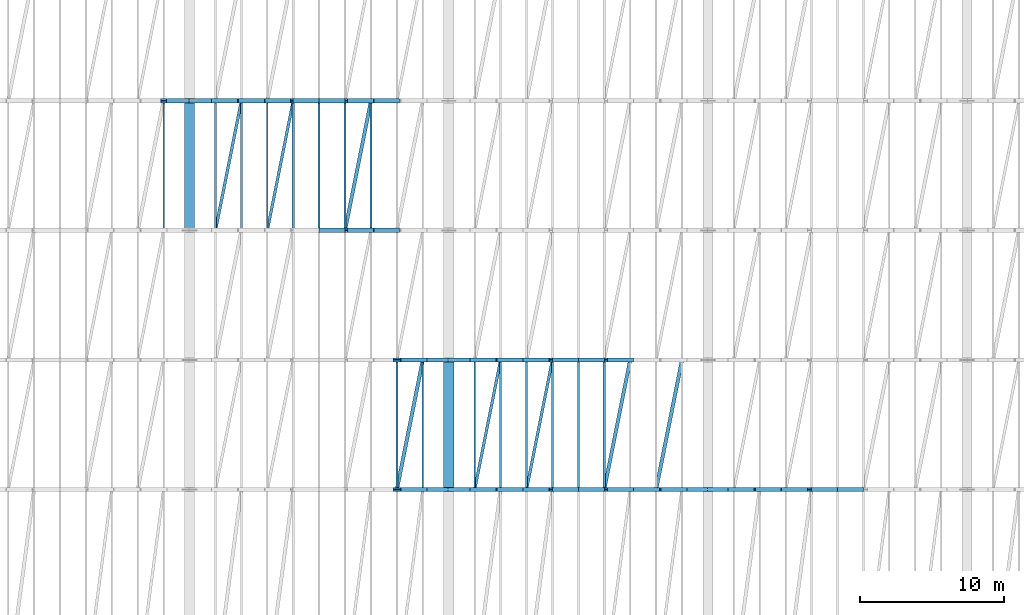
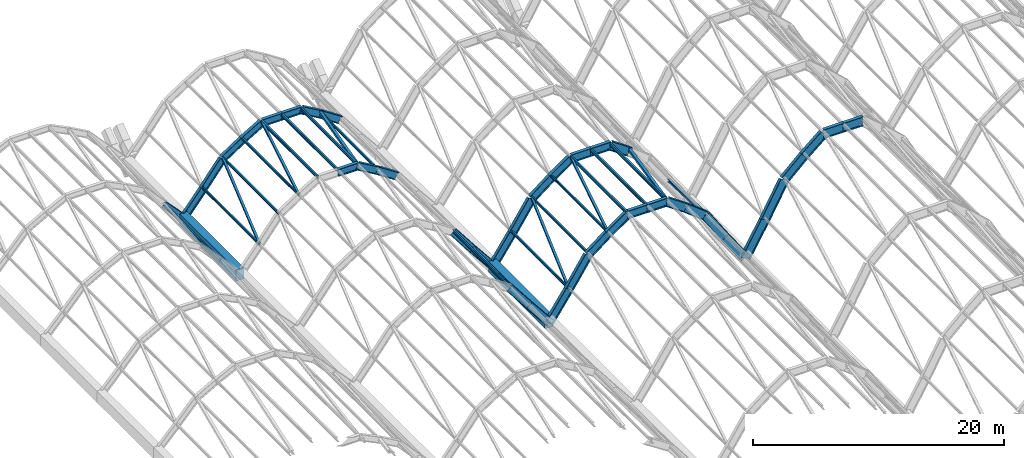
# One storey, part 19 of 86: 41 beams, 24 members.
"""IFC4 building model written with IfcOpenShell, lengths in metres."""

from ifc_helpers import new_model, si_unit, direction, frame, origin, origin_2d, place, context, subcontext, project, spatial, rectangle, i_section, extrude, material, material_profile, profile_set, type_object, element, save


model = new_model("IFC4")

# Units and contexts
model_context = context("Model", 3, precision=1e-05, world=origin(), true_north=direction((0.0, 1.0)))
body_context = subcontext(model_context, "Body", "Model", "MODEL_VIEW")
ifc_project = project(units=[si_unit("LENGTHUNIT", "METRE"), si_unit("AREAUNIT", "SQUARE_METRE"), si_unit("VOLUMEUNIT", "CUBIC_METRE"), si_unit("PLANEANGLEUNIT", "RADIAN"), si_unit("MASSUNIT", "GRAM", prefix="KILO")], contexts=[model_context])

# Site, building, storey
site_placement = place(None, origin())
site = spatial("IfcSite", under=ifc_project, at=site_placement, CompositionType="ELEMENT")
building_placement = place(site_placement, origin())
building = spatial("IfcBuilding", under=site, at=building_placement, Name="Chuanluo Vaults Station", CompositionType="ELEMENT")
storey_placement = place(building_placement, frame((0.0, 0.0, 14.39990234375)))
storey = spatial("IfcBuildingStorey", under=building, at=storey_placement, Name="L03", CompositionType="ELEMENT", Elevation=14.39990234375)

# Beams
ifc_material_1 = material(Name="Concrete C50", Category="concrete")
ifc_material_profile_1 = material_profile(ifc_material_1, rectangle(XDim=0.699951171875, YDim=1.10009765625, at=origin_2d()))
ifc_profile_set_1 = profile_set([ifc_material_profile_1], Name="Concrete C50")
beam_type_1 = type_object("IfcBeamType", Name="BM-VAL-RC", PredefinedType="USERDEFINED", material=ifc_profile_set_1)
for number, where, z_axis, x_axis, name in (
    (1, (18.0, 85.5, -0.7998046875), (0.0, 1.0, 0.0), (-1.0, 0.0, 0.0), "Vault springing valley beam X18-7"),
    (2, (36.0, 67.5, -0.7998046875), (0.0, 1.0, 0.0), (-1.0, 0.0, 0.0), "Vault springing valley beam X36-5"),
):
    element("IfcBeam", number, at=place(storey_placement, frame(where, z_axis=z_axis, x_axis=x_axis)), inside=storey, type_object=beam_type_1, Name=name, ObjectType="GIRDER", PredefinedType="USERDEFINED", context=body_context, shape_type="SweptSolid", body=[
        extrude(rectangle(XDim=0.699951171875, YDim=1.10009765625, at=origin_2d()), origin(), (0.0, 0.0, 1.0), 9.0),
    ])
ifc_material_2 = material(Name="Steel Q355C", Category="steel")
ifc_material_profile_2 = material_profile(ifc_material_2, i_section(OverallWidth=0.300048828125, OverallDepth=0.587890625, WebThickness=0.011962890625, FlangeThickness=0.02001953125, FilletRadius=0.02392578125, at=origin_2d()))
ifc_profile_set_2 = profile_set([ifc_material_profile_2], Name="Steel Q355C")
beam_type_2 = type_object("IfcBeamType", Name="BM-VLT-600", PredefinedType="USERDEFINED", material=ifc_profile_set_2)
beam_1_placement = place(storey_placement, frame((16.199951171875, 94.5, 1.173095703125), z_axis=(0.684521510403, 0.0, -0.728992662374), x_axis=(0.0, 1.0, 0.0)))
element("IfcBeam", 3, at=beam_1_placement, inside=storey, type_object=beam_type_2, Name="Vault V1 arch rib 8 chord 10", ObjectType="GIRDER", PredefinedType="USERDEFINED", context=body_context, shape_type="SweptSolid", body=[
    extrude(i_section(OverallWidth=0.300048828125, OverallDepth=0.587890625, WebThickness=0.011962890625, FlangeThickness=0.02001953125, FilletRadius=0.02392578125, at=origin_2d()), origin(), (0.0, 0.0, 1.0), 2.629638671875),
])
ifc_material_3 = material(Name="Steel Q355C", Category="steel")
ifc_material_profile_3 = material_profile(ifc_material_3, i_section(OverallWidth=0.300048828125, OverallDepth=0.699951171875, WebThickness=0.012939453125, FlangeThickness=0.02392578125, FilletRadius=0.02392578125, at=origin_2d()))
ifc_profile_set_3 = profile_set([ifc_material_profile_3], Name="Steel Q355C")
beam_type_3 = type_object("IfcBeamType", Name="BM-VLT-700", PredefinedType="USERDEFINED", material=ifc_profile_set_3)
beam_2_placement = place(storey_placement, frame((32.39990234375, 67.5, 3.74560546875), z_axis=(0.613681275736, 0.0, -0.789553856182), x_axis=(0.0, 1.0, 0.0)))
element("IfcBeam", 4, at=beam_2_placement, inside=storey, type_object=beam_type_3, Name="Vault V2 arch rib 5 chord 9", ObjectType="GIRDER", PredefinedType="USERDEFINED", context=body_context, shape_type="SweptSolid", body=[
    extrude(i_section(OverallWidth=0.300048828125, OverallDepth=0.699951171875, WebThickness=0.012939453125, FlangeThickness=0.02392578125, FilletRadius=0.02392578125, at=origin_2d()), origin(), (0.0, 0.0, 1.0), 2.93310546875),
])
beam_3_placement = place(storey_placement, frame((34.199951171875, 67.5, 1.4296875), z_axis=(0.628190338877, 0.0, -0.778059700885), x_axis=(0.0, 1.0, 0.0)))
element("IfcBeam", 5, at=beam_3_placement, inside=storey, type_object=beam_type_3, Name="Vault V2 arch rib 5 chord 10", ObjectType="GIRDER", PredefinedType="USERDEFINED", context=body_context, shape_type="SweptSolid", body=[
    extrude(i_section(OverallWidth=0.300048828125, OverallDepth=0.699951171875, WebThickness=0.012939453125, FlangeThickness=0.02392578125, FilletRadius=0.02392578125, at=origin_2d()), origin(), (0.0, 0.0, 1.0), 2.865478515625),
])
beam_4_placement = place(storey_placement, frame((32.39990234375, 76.5, 3.74560546875), z_axis=(0.613681275736, 0.0, -0.789553856182), x_axis=(0.0, 1.0, 0.0)))
element("IfcBeam", 6, at=beam_4_placement, inside=storey, type_object=beam_type_3, Name="Vault V2 arch rib 6 chord 9", ObjectType="GIRDER", PredefinedType="USERDEFINED", context=body_context, shape_type="SweptSolid", body=[
    extrude(i_section(OverallWidth=0.300048828125, OverallDepth=0.699951171875, WebThickness=0.012939453125, FlangeThickness=0.02392578125, FilletRadius=0.02392578125, at=origin_2d()), origin(), (0.0, 0.0, 1.0), 2.93310546875),
])
beam_5_placement = place(storey_placement, frame((34.199951171875, 76.5, 1.4296875), z_axis=(0.628190338877, 0.0, -0.778059700885), x_axis=(0.0, 1.0, 0.0)))
element("IfcBeam", 7, at=beam_5_placement, inside=storey, type_object=beam_type_3, Name="Vault V2 arch rib 6 chord 10", ObjectType="GIRDER", PredefinedType="USERDEFINED", context=body_context, shape_type="SweptSolid", body=[
    extrude(i_section(OverallWidth=0.300048828125, OverallDepth=0.699951171875, WebThickness=0.012939453125, FlangeThickness=0.02392578125, FilletRadius=0.02392578125, at=origin_2d()), origin(), (0.0, 0.0, 1.0), 2.865478515625),
])
beam_6_placement = place(storey_placement, frame((27.0, 85.5, 5.97998046875), z_axis=(1.0, 0.0, 0.0), x_axis=(0.0, 1.0, 0.0)))
element("IfcBeam", 8, at=beam_6_placement, inside=storey, type_object=beam_type_3, Name="Vault V2 arch rib 7 chord 6", ObjectType="GIRDER", PredefinedType="USERDEFINED", context=body_context, shape_type="SweptSolid", body=[
    extrude(i_section(OverallWidth=0.300048828125, OverallDepth=0.699951171875, WebThickness=0.012939453125, FlangeThickness=0.02392578125, FilletRadius=0.02392578125, at=origin_2d()), origin(), (0.0, 0.0, 1.0), 1.800048828125),
])
beam_7_placement = place(storey_placement, frame((28.800048828125, 85.5, 5.97998046875), z_axis=(0.863009490662, 0.0, -0.505187706727), x_axis=(0.0, 1.0, 0.0)))
element("IfcBeam", 9, at=beam_7_placement, inside=storey, type_object=beam_type_3, Name="Vault V2 arch rib 7 chord 7", ObjectType="GIRDER", PredefinedType="USERDEFINED", context=body_context, shape_type="SweptSolid", body=[
    extrude(i_section(OverallWidth=0.300048828125, OverallDepth=0.699951171875, WebThickness=0.012939453125, FlangeThickness=0.02392578125, FilletRadius=0.02392578125, at=origin_2d()), origin(), (0.0, 0.0, 1.0), 2.085693359375),
])
beam_8_placement = place(storey_placement, frame((30.60009765625, 85.5, 4.92626953125), z_axis=(0.836145448105, 0.0, -0.54850778446), x_axis=(0.0, 1.0, 0.0)))
element("IfcBeam", 10, at=beam_8_placement, inside=storey, type_object=beam_type_3, Name="Vault V2 arch rib 7 chord 8", ObjectType="GIRDER", PredefinedType="USERDEFINED", context=body_context, shape_type="SweptSolid", body=[
    extrude(i_section(OverallWidth=0.300048828125, OverallDepth=0.699951171875, WebThickness=0.012939453125, FlangeThickness=0.02392578125, FilletRadius=0.02392578125, at=origin_2d()), origin(), (0.0, 0.0, 1.0), 2.152587890625),
])
beam_9_placement = place(storey_placement, frame((18.0, 94.5, -0.7998046875), z_axis=(0.628190338877, 0.0, 0.778059700885), x_axis=(0.0, 1.0, 0.0)))
element("IfcBeam", 11, at=beam_9_placement, inside=storey, type_object=beam_type_3, Name="Vault V2 arch rib 8 chord 1", ObjectType="GIRDER", PredefinedType="USERDEFINED", context=body_context, shape_type="SweptSolid", body=[
    extrude(i_section(OverallWidth=0.300048828125, OverallDepth=0.699951171875, WebThickness=0.012939453125, FlangeThickness=0.02392578125, FilletRadius=0.02392578125, at=origin_2d()), origin(), (0.0, 0.0, 1.0), 2.865478515625),
])
beam_10_placement = place(storey_placement, frame((19.800048828125, 94.5, 1.4296875), z_axis=(0.613681275736, 0.0, 0.789553856182), x_axis=(0.0, 1.0, 0.0)))
element("IfcBeam", 12, at=beam_10_placement, inside=storey, type_object=beam_type_3, Name="Vault V2 arch rib 8 chord 2", ObjectType="GIRDER", PredefinedType="USERDEFINED", context=body_context, shape_type="SweptSolid", body=[
    extrude(i_section(OverallWidth=0.300048828125, OverallDepth=0.699951171875, WebThickness=0.012939453125, FlangeThickness=0.02392578125, FilletRadius=0.02392578125, at=origin_2d()), origin(), (0.0, 0.0, 1.0), 2.93310546875),
])
beam_11_placement = place(storey_placement, frame((21.60009765625, 94.5, 3.74560546875), z_axis=(0.836145448105, 0.0, 0.54850778446), x_axis=(0.0, 1.0, 0.0)))
element("IfcBeam", 13, at=beam_11_placement, inside=storey, type_object=beam_type_3, Name="Vault V2 arch rib 8 chord 3", ObjectType="GIRDER", PredefinedType="USERDEFINED", context=body_context, shape_type="SweptSolid", body=[
    extrude(i_section(OverallWidth=0.300048828125, OverallDepth=0.699951171875, WebThickness=0.012939453125, FlangeThickness=0.02392578125, FilletRadius=0.02392578125, at=origin_2d()), origin(), (0.0, 0.0, 1.0), 2.152587890625),
])
beam_12_placement = place(storey_placement, frame((23.39990234375, 94.5, 4.92626953125), z_axis=(0.863009490662, 0.0, 0.505187706727), x_axis=(0.0, 1.0, 0.0)))
element("IfcBeam", 14, at=beam_12_placement, inside=storey, type_object=beam_type_3, Name="Vault V2 arch rib 8 chord 4", ObjectType="GIRDER", PredefinedType="USERDEFINED", context=body_context, shape_type="SweptSolid", body=[
    extrude(i_section(OverallWidth=0.300048828125, OverallDepth=0.699951171875, WebThickness=0.012939453125, FlangeThickness=0.02392578125, FilletRadius=0.02392578125, at=origin_2d()), origin(), (0.0, 0.0, 1.0), 2.085693359375),
])
for number, where, z_axis, x_axis, name in (
    (15, (25.199951171875, 94.5, 5.97998046875), (1.0, 0.0, 0.0), (0.0, 1.0, 0.0), "Vault V2 arch rib 8 chord 5"),
    (16, (27.0, 94.5, 5.97998046875), (1.0, 0.0, 0.0), (0.0, 1.0, 0.0), "Vault V2 arch rib 8 chord 6"),
):
    element("IfcBeam", number, at=place(storey_placement, frame(where, z_axis=z_axis, x_axis=x_axis)), inside=storey, type_object=beam_type_3, Name=name, ObjectType="GIRDER", PredefinedType="USERDEFINED", context=body_context, shape_type="SweptSolid", body=[
        extrude(i_section(OverallWidth=0.300048828125, OverallDepth=0.699951171875, WebThickness=0.012939453125, FlangeThickness=0.02392578125, FilletRadius=0.02392578125, at=origin_2d()), origin(), (0.0, 0.0, 1.0), 1.800048828125),
    ])
beam_13_placement = place(storey_placement, frame((28.800048828125, 94.5, 5.97998046875), z_axis=(0.863009490662, 0.0, -0.505187706727), x_axis=(0.0, 1.0, 0.0)))
element("IfcBeam", 17, at=beam_13_placement, inside=storey, type_object=beam_type_3, Name="Vault V2 arch rib 8 chord 7", ObjectType="GIRDER", PredefinedType="USERDEFINED", context=body_context, shape_type="SweptSolid", body=[
    extrude(i_section(OverallWidth=0.300048828125, OverallDepth=0.699951171875, WebThickness=0.012939453125, FlangeThickness=0.02392578125, FilletRadius=0.02392578125, at=origin_2d()), origin(), (0.0, 0.0, 1.0), 2.085693359375),
])
beam_14_placement = place(storey_placement, frame((30.60009765625, 94.5, 4.92626953125), z_axis=(0.836145448105, 0.0, -0.54850778446), x_axis=(0.0, 1.0, 0.0)))
element("IfcBeam", 18, at=beam_14_placement, inside=storey, type_object=beam_type_3, Name="Vault V2 arch rib 8 chord 8", ObjectType="GIRDER", PredefinedType="USERDEFINED", context=body_context, shape_type="SweptSolid", body=[
    extrude(i_section(OverallWidth=0.300048828125, OverallDepth=0.699951171875, WebThickness=0.012939453125, FlangeThickness=0.02392578125, FilletRadius=0.02392578125, at=origin_2d()), origin(), (0.0, 0.0, 1.0), 2.152587890625),
])
ifc_material_4 = material(Name="Steel Q355C", Category="steel")
ifc_material_profile_4 = material_profile(ifc_material_4, i_section(OverallWidth=0.300048828125, OverallDepth=0.800048828125, WebThickness=0.013916015625, FlangeThickness=0.02587890625, FilletRadius=0.02392578125, at=origin_2d()))
ifc_profile_set_4 = profile_set([ifc_material_profile_4], Name="Steel Q355C")
beam_type_4 = type_object("IfcBeamType", Name="BM-VLT-800", PredefinedType="USERDEFINED", material=ifc_profile_set_4)
beam_15_placement = place(storey_placement, frame((36.0, 67.5, -0.849853515625), z_axis=(0.568880934439, 0.0, 0.822419894234), x_axis=(0.0, 1.0, 0.0)))
element("IfcBeam", 19, at=beam_15_placement, inside=storey, type_object=beam_type_4, Name="Vault V3 arch rib 5 chord 1", ObjectType="GIRDER", PredefinedType="USERDEFINED", context=body_context, shape_type="SweptSolid", body=[
    extrude(i_section(OverallWidth=0.300048828125, OverallDepth=0.800048828125, WebThickness=0.013916015625, FlangeThickness=0.02587890625, FilletRadius=0.02392578125, at=origin_2d()), origin(), (0.0, 0.0, 1.0), 3.164306640625),
])
beam_16_placement = place(storey_placement, frame((37.800048828125, 67.5, 1.75244140625), z_axis=(0.550471867992, 0.0, 0.834853713263), x_axis=(0.0, 1.0, 0.0)))
element("IfcBeam", 20, at=beam_16_placement, inside=storey, type_object=beam_type_4, Name="Vault V3 arch rib 5 chord 2", ObjectType="GIRDER", PredefinedType="USERDEFINED", context=body_context, shape_type="SweptSolid", body=[
    extrude(i_section(OverallWidth=0.300048828125, OverallDepth=0.800048828125, WebThickness=0.013916015625, FlangeThickness=0.02587890625, FilletRadius=0.02392578125, at=origin_2d()), origin(), (0.0, 0.0, 1.0), 3.27001953125),
])
beam_17_placement = place(storey_placement, frame((39.60009765625, 67.5, 4.482421875), z_axis=(0.790274889356, 0.0, 0.612752477965), x_axis=(0.0, 1.0, 0.0)))
element("IfcBeam", 21, at=beam_17_placement, inside=storey, type_object=beam_type_4, Name="Vault V3 arch rib 5 chord 3", ObjectType="GIRDER", PredefinedType="USERDEFINED", context=body_context, shape_type="SweptSolid", body=[
    extrude(i_section(OverallWidth=0.300048828125, OverallDepth=0.800048828125, WebThickness=0.013916015625, FlangeThickness=0.02587890625, FilletRadius=0.02392578125, at=origin_2d()), origin(), (0.0, 0.0, 1.0), 2.27734375),
])
beam_18_placement = place(storey_placement, frame((41.39990234375, 67.5, 5.8779296875), z_axis=(0.820907471123, 0.0, 0.571061226012), x_axis=(0.0, 1.0, 0.0)))
element("IfcBeam", 22, at=beam_18_placement, inside=storey, type_object=beam_type_4, Name="Vault V3 arch rib 5 chord 4", ObjectType="GIRDER", PredefinedType="USERDEFINED", context=body_context, shape_type="SweptSolid", body=[
    extrude(i_section(OverallWidth=0.300048828125, OverallDepth=0.800048828125, WebThickness=0.013916015625, FlangeThickness=0.02587890625, FilletRadius=0.02392578125, at=origin_2d()), origin(), (0.0, 0.0, 1.0), 2.19287109375),
])
for number, where, z_axis, x_axis, name in (
    (23, (43.199951171875, 67.5, 7.130126953125), (1.0, 0.0, 0.0), (0.0, 1.0, 0.0), "Vault V3 arch rib 5 chord 5"),
    (24, (45.0, 67.5, 7.130126953125), (1.0, 0.0, 0.0), (0.0, 1.0, 0.0), "Vault V3 arch rib 5 chord 6"),
):
    element("IfcBeam", number, at=place(storey_placement, frame(where, z_axis=z_axis, x_axis=x_axis)), inside=storey, type_object=beam_type_4, Name=name, ObjectType="GIRDER", PredefinedType="USERDEFINED", context=body_context, shape_type="SweptSolid", body=[
        extrude(i_section(OverallWidth=0.300048828125, OverallDepth=0.800048828125, WebThickness=0.013916015625, FlangeThickness=0.02587890625, FilletRadius=0.02392578125, at=origin_2d()), origin(), (0.0, 0.0, 1.0), 1.800048828125),
    ])
beam_19_placement = place(storey_placement, frame((46.800048828125, 67.5, 7.130126953125), z_axis=(0.820907471123, 0.0, -0.571061226012), x_axis=(0.0, 1.0, 0.0)))
element("IfcBeam", 25, at=beam_19_placement, inside=storey, type_object=beam_type_4, Name="Vault V3 arch rib 5 chord 7", ObjectType="GIRDER", PredefinedType="USERDEFINED", context=body_context, shape_type="SweptSolid", body=[
    extrude(i_section(OverallWidth=0.300048828125, OverallDepth=0.800048828125, WebThickness=0.013916015625, FlangeThickness=0.02587890625, FilletRadius=0.02392578125, at=origin_2d()), origin(), (0.0, 0.0, 1.0), 2.19287109375),
])
beam_20_placement = place(storey_placement, frame((48.60009765625, 67.5, 5.8779296875), z_axis=(0.790274889356, 0.0, -0.612752477965), x_axis=(0.0, 1.0, 0.0)))
element("IfcBeam", 26, at=beam_20_placement, inside=storey, type_object=beam_type_4, Name="Vault V3 arch rib 5 chord 8", ObjectType="GIRDER", PredefinedType="USERDEFINED", context=body_context, shape_type="SweptSolid", body=[
    extrude(i_section(OverallWidth=0.300048828125, OverallDepth=0.800048828125, WebThickness=0.013916015625, FlangeThickness=0.02587890625, FilletRadius=0.02392578125, at=origin_2d()), origin(), (0.0, 0.0, 1.0), 2.27734375),
])
beam_21_placement = place(storey_placement, frame((50.39990234375, 67.5, 4.482421875), z_axis=(0.550471867992, 0.0, -0.834853713263), x_axis=(0.0, 1.0, 0.0)))
element("IfcBeam", 27, at=beam_21_placement, inside=storey, type_object=beam_type_4, Name="Vault V3 arch rib 5 chord 9", ObjectType="GIRDER", PredefinedType="USERDEFINED", context=body_context, shape_type="SweptSolid", body=[
    extrude(i_section(OverallWidth=0.300048828125, OverallDepth=0.800048828125, WebThickness=0.013916015625, FlangeThickness=0.02587890625, FilletRadius=0.02392578125, at=origin_2d()), origin(), (0.0, 0.0, 1.0), 3.27001953125),
])
for number, where, z_axis, x_axis, name in (
    (28, (52.199951171875, 67.5, 1.75244140625), (0.568880934439, 0.0, -0.822419894234), (0.0, 1.0, 0.0), "Vault V3 arch rib 5 chord 10"),
    (29, (36.0, 76.5, -0.849853515625), (0.568880934439, 0.0, 0.822419894234), (0.0, 1.0, 0.0), "Vault V3 arch rib 6 chord 1"),
):
    element("IfcBeam", number, at=place(storey_placement, frame(where, z_axis=z_axis, x_axis=x_axis)), inside=storey, type_object=beam_type_4, Name=name, ObjectType="GIRDER", PredefinedType="USERDEFINED", context=body_context, shape_type="SweptSolid", body=[
        extrude(i_section(OverallWidth=0.300048828125, OverallDepth=0.800048828125, WebThickness=0.013916015625, FlangeThickness=0.02587890625, FilletRadius=0.02392578125, at=origin_2d()), origin(), (0.0, 0.0, 1.0), 3.164306640625),
    ])
beam_22_placement = place(storey_placement, frame((37.800048828125, 76.5, 1.75244140625), z_axis=(0.550471867992, 0.0, 0.834853713263), x_axis=(0.0, 1.0, 0.0)))
element("IfcBeam", 30, at=beam_22_placement, inside=storey, type_object=beam_type_4, Name="Vault V3 arch rib 6 chord 2", ObjectType="GIRDER", PredefinedType="USERDEFINED", context=body_context, shape_type="SweptSolid", body=[
    extrude(i_section(OverallWidth=0.300048828125, OverallDepth=0.800048828125, WebThickness=0.013916015625, FlangeThickness=0.02587890625, FilletRadius=0.02392578125, at=origin_2d()), origin(), (0.0, 0.0, 1.0), 3.27001953125),
])
beam_23_placement = place(storey_placement, frame((39.60009765625, 76.5, 4.482421875), z_axis=(0.790274889356, 0.0, 0.612752477965), x_axis=(0.0, 1.0, 0.0)))
element("IfcBeam", 31, at=beam_23_placement, inside=storey, type_object=beam_type_4, Name="Vault V3 arch rib 6 chord 3", ObjectType="GIRDER", PredefinedType="USERDEFINED", context=body_context, shape_type="SweptSolid", body=[
    extrude(i_section(OverallWidth=0.300048828125, OverallDepth=0.800048828125, WebThickness=0.013916015625, FlangeThickness=0.02587890625, FilletRadius=0.02392578125, at=origin_2d()), origin(), (0.0, 0.0, 1.0), 2.27734375),
])
beam_24_placement = place(storey_placement, frame((41.39990234375, 76.5, 5.8779296875), z_axis=(0.820907471123, 0.0, 0.571061226012), x_axis=(0.0, 1.0, 0.0)))
element("IfcBeam", 32, at=beam_24_placement, inside=storey, type_object=beam_type_4, Name="Vault V3 arch rib 6 chord 4", ObjectType="GIRDER", PredefinedType="USERDEFINED", context=body_context, shape_type="SweptSolid", body=[
    extrude(i_section(OverallWidth=0.300048828125, OverallDepth=0.800048828125, WebThickness=0.013916015625, FlangeThickness=0.02587890625, FilletRadius=0.02392578125, at=origin_2d()), origin(), (0.0, 0.0, 1.0), 2.19287109375),
])
for number, where, z_axis, x_axis, name in (
    (33, (43.199951171875, 76.5, 7.130126953125), (1.0, 0.0, 0.0), (0.0, 1.0, 0.0), "Vault V3 arch rib 6 chord 5"),
    (34, (45.0, 76.5, 7.130126953125), (1.0, 0.0, 0.0), (0.0, 1.0, 0.0), "Vault V3 arch rib 6 chord 6"),
):
    element("IfcBeam", number, at=place(storey_placement, frame(where, z_axis=z_axis, x_axis=x_axis)), inside=storey, type_object=beam_type_4, Name=name, ObjectType="GIRDER", PredefinedType="USERDEFINED", context=body_context, shape_type="SweptSolid", body=[
        extrude(i_section(OverallWidth=0.300048828125, OverallDepth=0.800048828125, WebThickness=0.013916015625, FlangeThickness=0.02587890625, FilletRadius=0.02392578125, at=origin_2d()), origin(), (0.0, 0.0, 1.0), 1.800048828125),
    ])
beam_25_placement = place(storey_placement, frame((46.800048828125, 76.5, 7.130126953125), z_axis=(0.820907471123, 0.0, -0.571061226012), x_axis=(0.0, 1.0, 0.0)))
element("IfcBeam", 35, at=beam_25_placement, inside=storey, type_object=beam_type_4, Name="Vault V3 arch rib 6 chord 7", ObjectType="GIRDER", PredefinedType="USERDEFINED", context=body_context, shape_type="SweptSolid", body=[
    extrude(i_section(OverallWidth=0.300048828125, OverallDepth=0.800048828125, WebThickness=0.013916015625, FlangeThickness=0.02587890625, FilletRadius=0.02392578125, at=origin_2d()), origin(), (0.0, 0.0, 1.0), 2.19287109375),
])
ifc_material_5 = material(Name="Steel Q355C", Category="steel")
ifc_material_profile_5 = material_profile(ifc_material_5, i_section(OverallWidth=0.300048828125, OverallDepth=0.89990234375, WebThickness=0.01611328125, FlangeThickness=0.028076171875, FilletRadius=0.02392578125, at=origin_2d()))
ifc_profile_set_5 = profile_set([ifc_material_profile_5], Name="Steel Q355C")
beam_type_5 = type_object("IfcBeamType", Name="BM-VLT-900", PredefinedType="USERDEFINED", material=ifc_profile_set_5)
beam_26_placement = place(storey_placement, frame((54.0, 67.5, -0.89990234375), z_axis=(0.502607424266, 0.0, 0.864514763941), x_axis=(0.0, 1.0, 0.0)))
element("IfcBeam", 36, at=beam_26_placement, inside=storey, type_object=beam_type_5, Name="Vault V4 arch rib 5 chord 1", ObjectType="GIRDER", PredefinedType="USERDEFINED", context=body_context, shape_type="SweptSolid", body=[
    extrude(i_section(OverallWidth=0.300048828125, OverallDepth=0.89990234375, WebThickness=0.01611328125, FlangeThickness=0.028076171875, FilletRadius=0.02392578125, at=origin_2d()), origin(), (0.0, 0.0, 1.0), 3.58154296875),
])
beam_27_placement = place(storey_placement, frame((55.800048828125, 67.5, 2.1962890625), z_axis=(0.480856872349, 0.0, 0.876799103738), x_axis=(0.0, 1.0, 0.0)))
element("IfcBeam", 37, at=beam_27_placement, inside=storey, type_object=beam_type_5, Name="Vault V4 arch rib 5 chord 2", ObjectType="GIRDER", PredefinedType="USERDEFINED", context=body_context, shape_type="SweptSolid", body=[
    extrude(i_section(OverallWidth=0.300048828125, OverallDepth=0.89990234375, WebThickness=0.01611328125, FlangeThickness=0.028076171875, FilletRadius=0.02392578125, at=origin_2d()), origin(), (0.0, 0.0, 1.0), 3.743408203125),
])
beam_28_placement = place(storey_placement, frame((57.60009765625, 67.5, 5.478515625), z_axis=(0.730389392317, 0.0, 0.683030991676), x_axis=(0.0, 1.0, 0.0)))
element("IfcBeam", 38, at=beam_28_placement, inside=storey, type_object=beam_type_5, Name="Vault V4 arch rib 5 chord 3", ObjectType="GIRDER", PredefinedType="USERDEFINED", context=body_context, shape_type="SweptSolid", body=[
    extrude(i_section(OverallWidth=0.300048828125, OverallDepth=0.89990234375, WebThickness=0.01611328125, FlangeThickness=0.028076171875, FilletRadius=0.02392578125, at=origin_2d()), origin(), (0.0, 0.0, 1.0), 2.464111328125),
])
beam_29_placement = place(storey_placement, frame((59.39990234375, 67.5, 7.16162109375), z_axis=(0.76434097912, 0.0, 0.644812273176), x_axis=(0.0, 1.0, 0.0)))
element("IfcBeam", 39, at=beam_29_placement, inside=storey, type_object=beam_type_5, Name="Vault V4 arch rib 5 chord 4", ObjectType="GIRDER", PredefinedType="USERDEFINED", context=body_context, shape_type="SweptSolid", body=[
    extrude(i_section(OverallWidth=0.300048828125, OverallDepth=0.89990234375, WebThickness=0.01611328125, FlangeThickness=0.028076171875, FilletRadius=0.02392578125, at=origin_2d()), origin(), (0.0, 0.0, 1.0), 2.35498046875),
])
for number, where, z_axis, x_axis, name in (
    (40, (61.199951171875, 67.5, 8.68017578125), (1.0, 0.0, 0.0), (0.0, 1.0, 0.0), "Vault V4 arch rib 5 chord 5"),
    (41, (63.0, 67.5, 8.68017578125), (1.0, 0.0, 0.0), (0.0, 1.0, 0.0), "Vault V4 arch rib 5 chord 6"),
):
    element("IfcBeam", number, at=place(storey_placement, frame(where, z_axis=z_axis, x_axis=x_axis)), inside=storey, type_object=beam_type_5, Name=name, ObjectType="GIRDER", PredefinedType="USERDEFINED", context=body_context, shape_type="SweptSolid", body=[
        extrude(i_section(OverallWidth=0.300048828125, OverallDepth=0.89990234375, WebThickness=0.01611328125, FlangeThickness=0.028076171875, FilletRadius=0.02392578125, at=origin_2d()), origin(), (0.0, 0.0, 1.0), 1.800048828125),
    ])

# Members
ifc_material_6 = material(Name="Steel Q355C", Category="steel")
ifc_material_profile_6 = material_profile(ifc_material_6, i_section(OverallWidth=0.125, OverallDepth=0.25, WebThickness=0.006103515625, FlangeThickness=0.009033203125, FilletRadius=0.011962890625, at=origin_2d()))
ifc_profile_set_6 = profile_set([ifc_material_profile_6], Name="Steel Q355C")
member_type_1 = type_object("IfcMemberType", Name="MEM-PUR-250", PredefinedType="PURLIN", material=ifc_profile_set_6)
for number, where, z_axis, x_axis, name in (
    (42, (16.199951171875, 85.5, 1.213134765625), (0.0, 1.0, 0.0), (-1.0, 0.0, 0.0), "Vault V1 purlin 7.9"),
    (43, (32.39990234375, 67.5, 3.849853515625), (0.0, 1.0, 0.0), (-1.0, 0.0, 0.0), "Vault V2 purlin 5.8"),
    (44, (34.199951171875, 67.5, 1.5126953125), (0.0, 1.0, 0.0), (-1.0, 0.0, 0.0), "Vault V2 purlin 5.9"),
    (45, (19.800048828125, 85.5, 1.5126953125), (0.0, 1.0, 0.0), (-1.0, 0.0, 0.0), "Vault V2 purlin 7.1"),
    (46, (21.60009765625, 85.5, 3.849853515625), (0.0, 1.0, 0.0), (-1.0, 0.0, 0.0), "Vault V2 purlin 7.2"),
    (47, (23.39990234375, 85.5, 5.068115234375), (0.0, 1.0, 0.0), (-1.0, 0.0, 0.0), "Vault V2 purlin 7.3"),
    (48, (30.60009765625, 85.5, 5.068115234375), (0.0, 1.0, 0.0), (-1.0, 0.0, 0.0), "Vault V2 purlin 7.7"),
    (49, (37.800048828125, 67.5, 1.86962890625), (0.0, 1.0, 0.0), (-1.0, 0.0, 0.0), "Vault V3 purlin 5.1"),
    (50, (39.60009765625, 67.5, 4.619384765625), (0.0, 1.0, 0.0), (-1.0, 0.0, 0.0), "Vault V3 purlin 5.2"),
    (51, (41.39990234375, 67.5, 6.062744140625), (0.0, 1.0, 0.0), (-1.0, 0.0, 0.0), "Vault V3 purlin 5.3"),
):
    element("IfcMember", number, at=place(storey_placement, frame(where, z_axis=z_axis, x_axis=x_axis)), inside=storey, type_object=member_type_1, Name=name, PredefinedType="PURLIN", context=body_context, shape_type="SweptSolid", body=[
        extrude(i_section(OverallWidth=0.125, OverallDepth=0.25, WebThickness=0.006103515625, FlangeThickness=0.009033203125, FilletRadius=0.011962890625, at=origin_2d()), origin(), (0.0, 0.0, 1.0), 9.0),
    ])
ifc_material_7 = material(Name="Steel Q355C", Category="steel")
ifc_material_profile_7 = material_profile(ifc_material_7, i_section(OverallWidth=0.14990234375, OverallDepth=0.300048828125, WebThickness=0.006591796875, FlangeThickness=0.009033203125, FilletRadius=0.012939453125, at=origin_2d()))
ifc_profile_set_7 = profile_set([ifc_material_profile_7], Name="Steel Q355C")
member_type_2 = type_object("IfcMemberType", Name="MEM-PUR-300", PredefinedType="PURLIN", material=ifc_profile_set_7)
for number, where, z_axis, x_axis, name in (
    (52, (25.199951171875, 85.5, 6.085693359375), (0.0, 1.0, 0.0), (-1.0, 0.0, 0.0), "Vault V2 purlin 7.4"),
    (53, (27.0, 85.5, 6.172119140625), (0.0, 1.0, 0.0), (-1.0, 0.0, 0.0), "Vault V2 purlin 7.5"),
    (54, (28.800048828125, 85.5, 6.085693359375), (0.0, 1.0, 0.0), (-1.0, 0.0, 0.0), "Vault V2 purlin 7.6"),
    (55, (43.199951171875, 67.5, 7.264404296875), (0.0, 1.0, 0.0), (-1.0, 0.0, 0.0), "Vault V3 purlin 5.4"),
    (56, (45.0, 67.5, 7.3720703125), (0.0, 1.0, 0.0), (-1.0, 0.0, 0.0), "Vault V3 purlin 5.5"),
    (57, (46.800048828125, 67.5, 7.264404296875), (0.0, 1.0, 0.0), (-1.0, 0.0, 0.0), "Vault V3 purlin 5.6"),
):
    element("IfcMember", number, at=place(storey_placement, frame(where, z_axis=z_axis, x_axis=x_axis)), inside=storey, type_object=member_type_2, Name=name, PredefinedType="PURLIN", context=body_context, shape_type="SweptSolid", body=[
        extrude(i_section(OverallWidth=0.14990234375, OverallDepth=0.300048828125, WebThickness=0.006591796875, FlangeThickness=0.009033203125, FilletRadius=0.012939453125, at=origin_2d()), origin(), (0.0, 0.0, 1.0), 9.0),
    ])
ifc_material_8 = material(Name="Steel Q355C", Category="steel")
ifc_material_profile_8 = material_profile(ifc_material_8, i_section(OverallWidth=0.199951171875, OverallDepth=0.199951171875, WebThickness=0.008056640625, FlangeThickness=0.011962890625, FilletRadius=0.012939453125, at=origin_2d()))
ifc_profile_set_8 = profile_set([ifc_material_profile_8], Name="Steel Q355C")
member_type_3 = type_object("IfcMemberType", Name="MEM-VBR-200", PredefinedType="BRACE", material=ifc_profile_set_8)
member_1_placement = place(storey_placement, frame((19.800048828125, 85.5, 1.5126953125), z_axis=(0.19005620389, 0.950255242126, 0.246766314911), x_axis=(-0.980579652604, 0.196121250506, 0.0)))
element("IfcMember", 58, at=member_1_placement, inside=storey, type_object=member_type_3, Name="Vault V2 space-frame diagonal 7.1", PredefinedType="BRACE", context=body_context, shape_type="SweptSolid", body=[
    extrude(i_section(OverallWidth=0.199951171875, OverallDepth=0.199951171875, WebThickness=0.008056640625, FlangeThickness=0.011962890625, FilletRadius=0.012939453125, at=origin_2d()), origin(), (0.0, 0.0, 1.0), 9.47119140625),
])
member_2_placement = place(storey_placement, frame((23.39990234375, 85.5, 5.068115234375), z_axis=(0.194926906054, 0.974608092333, 0.110193319467), x_axis=(-0.980579652604, 0.196121250506, 0.0)))
element("IfcMember", 59, at=member_2_placement, inside=storey, type_object=member_type_3, Name="Vault V2 space-frame diagonal 7.3", PredefinedType="BRACE", context=body_context, shape_type="SweptSolid", body=[
    extrude(i_section(OverallWidth=0.199951171875, OverallDepth=0.199951171875, WebThickness=0.008056640625, FlangeThickness=0.011962890625, FilletRadius=0.012939453125, at=origin_2d()), origin(), (0.0, 0.0, 1.0), 9.234375),
])
member_3_placement = place(storey_placement, frame((37.800048828125, 67.5, 1.86962890625), z_axis=(0.187871019476, 0.939329616435, 0.286991901853), x_axis=(-0.980579652604, 0.196121250506, 0.0)))
element("IfcMember", 60, at=member_3_placement, inside=storey, type_object=member_type_3, Name="Vault V3 space-frame diagonal 5.1", PredefinedType="BRACE", context=body_context, shape_type="SweptSolid", body=[
    extrude(i_section(OverallWidth=0.199951171875, OverallDepth=0.199951171875, WebThickness=0.008056640625, FlangeThickness=0.011962890625, FilletRadius=0.012939453125, at=origin_2d()), origin(), (0.0, 0.0, 1.0), 9.581298828125),
])
member_4_placement = place(storey_placement, frame((41.39990234375, 67.5, 6.062744140625), z_axis=(0.194461668086, 0.972281965593, 0.129816944299), x_axis=(-0.980579652604, 0.196121250506, 0.0)))
element("IfcMember", 61, at=member_4_placement, inside=storey, type_object=member_type_3, Name="Vault V3 space-frame diagonal 5.3", PredefinedType="BRACE", context=body_context, shape_type="SweptSolid", body=[
    extrude(i_section(OverallWidth=0.199951171875, OverallDepth=0.199951171875, WebThickness=0.008056640625, FlangeThickness=0.011962890625, FilletRadius=0.012939453125, at=origin_2d()), origin(), (0.0, 0.0, 1.0), 9.256591796875),
])
ifc_material_9 = material(Name="Steel Q355C", Category="steel")
ifc_material_profile_9 = material_profile(ifc_material_9, i_section(OverallWidth=0.25, OverallDepth=0.25, WebThickness=0.009033203125, FlangeThickness=0.013916015625, FilletRadius=0.01611328125, at=origin_2d()))
ifc_profile_set_9 = profile_set([ifc_material_profile_9], Name="Steel Q355C")
member_type_4 = type_object("IfcMemberType", Name="MEM-VBR-250", PredefinedType="BRACE", material=ifc_profile_set_9)
member_5_placement = place(storey_placement, frame((32.39990234375, 67.5, 3.849853515625), z_axis=(0.19005620389, 0.950255242126, -0.246766314911), x_axis=(-0.980579652604, 0.196121250506, 0.0)))
element("IfcMember", 62, at=member_5_placement, inside=storey, type_object=member_type_4, Name="Vault V2 space-frame diagonal 5.8", PredefinedType="BRACE", context=body_context, shape_type="SweptSolid", body=[
    extrude(i_section(OverallWidth=0.25, OverallDepth=0.25, WebThickness=0.009033203125, FlangeThickness=0.013916015625, FilletRadius=0.01611328125, at=origin_2d()), origin(), (0.0, 0.0, 1.0), 9.47119140625),
])
member_6_placement = place(storey_placement, frame((28.800048828125, 85.5, 6.085693359375), z_axis=(0.194926906054, 0.974608092333, -0.110193319467), x_axis=(-0.980579652604, 0.196121250506, 0.0)))
element("IfcMember", 63, at=member_6_placement, inside=storey, type_object=member_type_4, Name="Vault V2 space-frame diagonal 7.6", PredefinedType="BRACE", context=body_context, shape_type="SweptSolid", body=[
    extrude(i_section(OverallWidth=0.25, OverallDepth=0.25, WebThickness=0.009033203125, FlangeThickness=0.013916015625, FilletRadius=0.01611328125, at=origin_2d()), origin(), (0.0, 0.0, 1.0), 9.234375),
])
member_7_placement = place(storey_placement, frame((46.800048828125, 67.5, 7.264404296875), z_axis=(0.194461668086, 0.972281965593, -0.129816944299), x_axis=(-0.980579652604, 0.196121250506, 0.0)))
element("IfcMember", 64, at=member_7_placement, inside=storey, type_object=member_type_4, Name="Vault V3 space-frame diagonal 5.6", PredefinedType="BRACE", context=body_context, shape_type="SweptSolid", body=[
    extrude(i_section(OverallWidth=0.25, OverallDepth=0.25, WebThickness=0.009033203125, FlangeThickness=0.013916015625, FilletRadius=0.01611328125, at=origin_2d()), origin(), (0.0, 0.0, 1.0), 9.256591796875),
])
member_8_placement = place(storey_placement, frame((50.39990234375, 67.5, 4.619384765625), z_axis=(0.187871019476, 0.939329616435, -0.286991901853), x_axis=(-0.980579652604, 0.196121250506, 0.0)))
element("IfcMember", 65, at=member_8_placement, inside=storey, type_object=member_type_4, Name="Vault V3 space-frame diagonal 5.8", PredefinedType="BRACE", context=body_context, shape_type="SweptSolid", body=[
    extrude(i_section(OverallWidth=0.25, OverallDepth=0.25, WebThickness=0.009033203125, FlangeThickness=0.013916015625, FilletRadius=0.01611328125, at=origin_2d()), origin(), (0.0, 0.0, 1.0), 9.581298828125),
])

save(model, "model.ifc")
